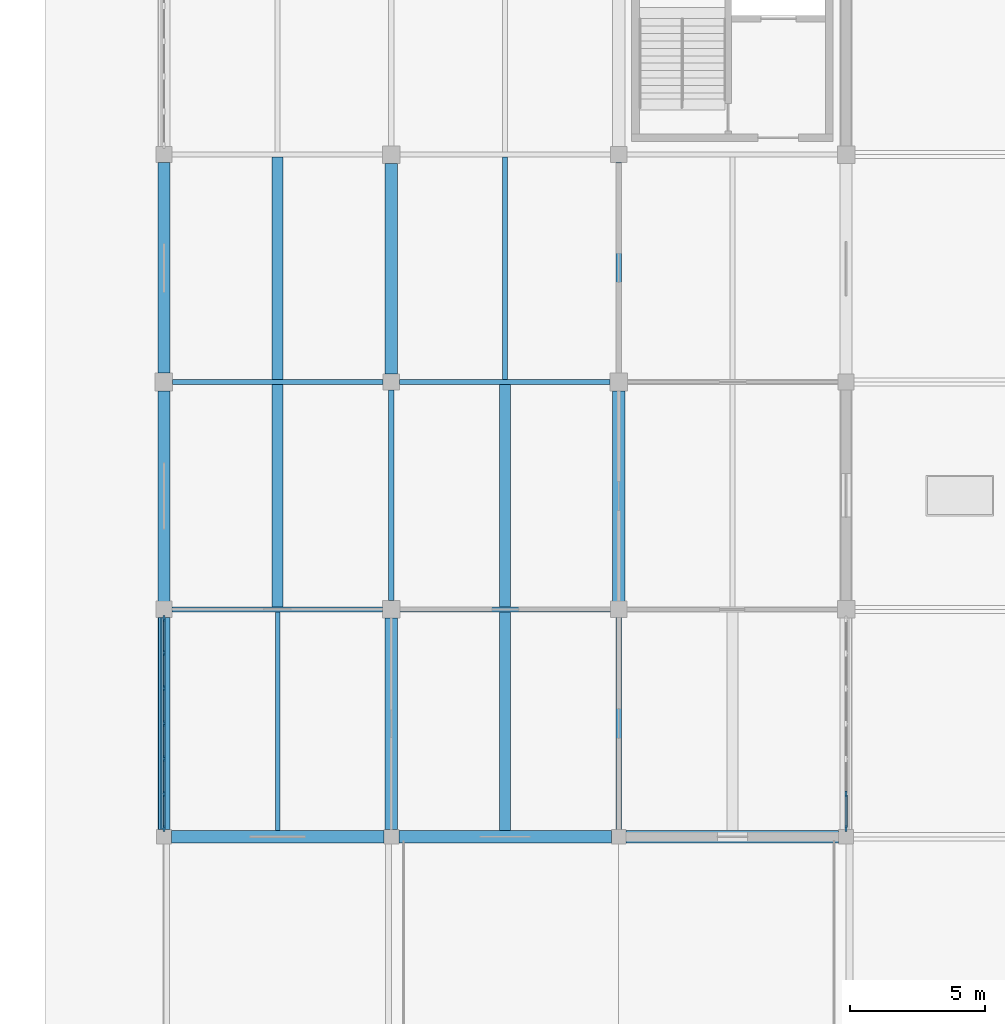
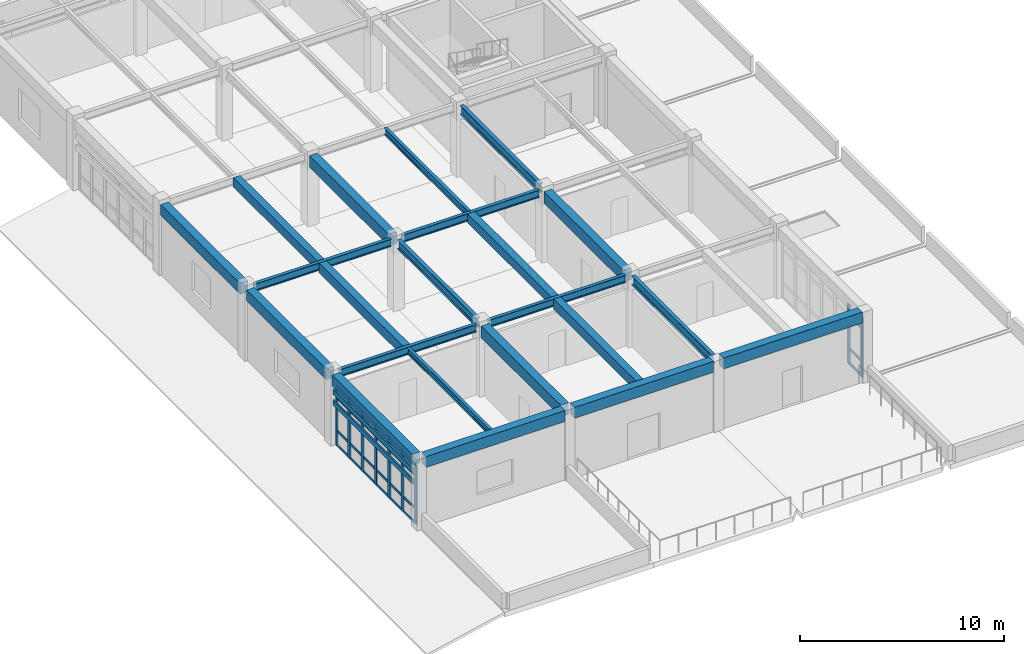
# One storey, part 31 of 78: 38 members, 22 beams, 2 elements without a shape of their own.
"""IFC4 building model written with IfcOpenShell, lengths in metres."""

from ifc_helpers import new_model, si_unit, direction, frame, origin, origin_2d, place, context, subcontext, project, spatial, rectangle, i_section, extrude, material, layer, layer_set, material_profile, profile_set, type_object, element, aggregate, save


model = new_model("IFC4")

# Units and contexts
model_context = context("Model", 3, precision=1e-05, world=origin(), true_north=direction((0.0, 1.0)))
body_context = subcontext(model_context, "Body", "Model", "MODEL_VIEW")
ifc_project = project(units=[si_unit("LENGTHUNIT", "METRE"), si_unit("AREAUNIT", "SQUARE_METRE"), si_unit("VOLUMEUNIT", "CUBIC_METRE"), si_unit("PLANEANGLEUNIT", "RADIAN"), si_unit("MASSUNIT", "GRAM", prefix="KILO")], contexts=[model_context])

# Site, building, storey
site_placement = place(None, origin())
site = spatial("IfcSite", under=ifc_project, at=site_placement, CompositionType="ELEMENT")
building_placement = place(site_placement, origin())
building = spatial("IfcBuilding", under=site, at=building_placement, Name="Porcellanite Civic Hall", CompositionType="ELEMENT")
storey_placement = place(building_placement, frame((0.0, 0.0, 10.260009765625)))
storey = spatial("IfcBuildingStorey", under=building, at=storey_placement, Name="L02", CompositionType="ELEMENT", Elevation=10.260009765625)

# Beams
ifc_material_1 = material(Name="Concrete N50 (50 MPa)", Category="concrete")
ifc_material_profile_1 = material_profile(ifc_material_1, rectangle(XDim=0.39990234375, YDim=0.550048828125, at=origin_2d()), Name="RC-400x550")
ifc_profile_set_1 = profile_set([ifc_material_profile_1], Name="Concrete N50 (50 MPa)")
beam_type_1 = type_object("IfcBeamType", Name="BM-RC550", PredefinedType="JOIST", material=ifc_profile_set_1)
beam_1_placement = place(storey_placement, frame((147.0, 25.29443359375, 3.965087890625), z_axis=(0.0, 1.0, 0.0), x_axis=(-1.0, 0.0, 0.0)))
element("IfcBeam", 1, at=beam_1_placement, inside=storey, type_object=beam_type_1, Name="Secondary joist L02 18-4", PredefinedType="JOIST", context=body_context, shape_type="SweptSolid", body=[
    extrude(rectangle(XDim=0.39990234375, YDim=0.550048828125, at=origin_2d()), origin(), (0.0, 0.0, 1.0), 8.211181640625),
])
beam_2_placement = place(storey_placement, frame((155.39990234375, 16.89453125, 3.965087890625), z_axis=(0.0, 1.0, 0.0), x_axis=(-1.0, 0.0, 0.0)))
element("IfcBeam", 2, at=beam_2_placement, inside=storey, type_object=beam_type_1, Name="Secondary joist L02 19-3", PredefinedType="JOIST", context=body_context, shape_type="SweptSolid", body=[
    extrude(rectangle(XDim=0.39990234375, YDim=0.550048828125, at=origin_2d()), origin(), (0.0, 0.0, 1.0), 8.2109375),
])
ifc_material_2 = material(Name="Concrete N50 (50 MPa)", Category="concrete")
ifc_material_profile_2 = material_profile(ifc_material_2, rectangle(XDim=0.39990234375, YDim=0.60009765625, at=origin_2d()), Name="RC-400x600")
ifc_profile_set_2 = profile_set([ifc_material_profile_2], Name="Concrete N50 (50 MPa)")
beam_type_2 = type_object("IfcBeamType", Name="BM-RC600", PredefinedType="JOIST", material=ifc_profile_set_2)
beam_3_placement = place(storey_placement, frame((147.0, 16.89453125, 3.93994140625), z_axis=(0.0, 1.0, 0.0), x_axis=(-1.0, 0.0, 0.0)))
element("IfcBeam", 3, at=beam_3_placement, inside=storey, type_object=beam_type_2, Name="Secondary joist L02 18-3", PredefinedType="JOIST", context=body_context, shape_type="SweptSolid", body=[
    extrude(rectangle(XDim=0.39990234375, YDim=0.60009765625, at=origin_2d()), origin(), (0.0, 0.0, 1.0), 8.2109375),
])
beam_4_placement = place(storey_placement, frame((155.39990234375, 8.62451171875, 3.93994140625), z_axis=(0.0, 1.0, 0.0), x_axis=(-1.0, 0.0, 0.0)))
element("IfcBeam", 4, at=beam_4_placement, inside=storey, type_object=beam_type_2, Name="Secondary joist L02 19-2", PredefinedType="JOIST", context=body_context, shape_type="SweptSolid", body=[
    extrude(rectangle(XDim=0.39990234375, YDim=0.60009765625, at=origin_2d()), origin(), (0.0, 0.0, 1.0), 8.0810546875),
])
ifc_material_3 = material(Name="Concrete N50 (50 MPa)", Category="concrete")
ifc_material_profile_3 = material_profile(ifc_material_3, rectangle(XDim=0.449951171875, YDim=0.64990234375, at=origin_2d()), Name="RC-450x650")
ifc_profile_set_3 = profile_set([ifc_material_profile_3], Name="Concrete N50 (50 MPa)")
beam_type_3 = type_object("IfcBeamType", Name="BM-RC650", PredefinedType="SPANDREL", material=ifc_profile_set_3)
beam_5_placement = place(storey_placement, frame((143.074462890625, 8.39990234375, 3.9150390625), z_axis=(1.0, 0.0, 0.0), x_axis=(0.0, 1.0, 0.0)))
element("IfcBeam", 5, at=beam_5_placement, inside=storey, type_object=beam_type_3, Name="Beam X L02 18-2", PredefinedType="SPANDREL", context=body_context, shape_type="SweptSolid", body=[
    extrude(rectangle(XDim=0.449951171875, YDim=0.64990234375, at=origin_2d()), origin(), (0.0, 0.0, 1.0), 7.85107421875),
])
beam_6_placement = place(storey_placement, frame((151.474609375, 8.39990234375, 3.9150390625), z_axis=(1.0, 0.0, 0.0), x_axis=(0.0, 1.0, 0.0)))
element("IfcBeam", 6, at=beam_6_placement, inside=storey, type_object=beam_type_3, Name="Beam X L02 19-2", PredefinedType="SPANDREL", context=body_context, shape_type="SweptSolid", body=[
    extrude(rectangle(XDim=0.449951171875, YDim=0.64990234375, at=origin_2d()), origin(), (0.0, 0.0, 1.0), 7.850830078125),
])
beam_7_placement = place(storey_placement, frame((159.87451171875, 8.39990234375, 3.9150390625), z_axis=(1.0, 0.0, 0.0), x_axis=(0.0, 1.0, 0.0)))
element("IfcBeam", 7, at=beam_7_placement, inside=storey, type_object=beam_type_3, Name="Beam X L02 20-2", PredefinedType="SPANDREL", context=body_context, shape_type="SweptSolid", body=[
    extrude(rectangle(XDim=0.449951171875, YDim=0.64990234375, at=origin_2d()), origin(), (0.0, 0.0, 1.0), 7.85107421875),
])
beam_8_placement = place(storey_placement, frame((142.800048828125, 8.674560546875, 3.9150390625), z_axis=(0.0, 1.0, 0.0), x_axis=(-1.0, 0.0, 0.0)))
element("IfcBeam", 8, at=beam_8_placement, inside=storey, type_object=beam_type_3, Name="Beam Y L02 18-2", PredefinedType="SPANDREL", context=body_context, shape_type="SweptSolid", body=[
    extrude(rectangle(XDim=0.449951171875, YDim=0.64990234375, at=origin_2d()), origin(), (0.0, 0.0, 1.0), 7.825927734375),
])
beam_9_placement = place(storey_placement, frame((142.800048828125, 17.099609375, 3.9150390625), z_axis=(0.0, 1.0, 0.0), x_axis=(-1.0, 0.0, 0.0)))
element("IfcBeam", 9, at=beam_9_placement, inside=storey, type_object=beam_type_3, Name="Beam Y L02 18-3", PredefinedType="SPANDREL", context=body_context, shape_type="SweptSolid", body=[
    extrude(rectangle(XDim=0.449951171875, YDim=0.64990234375, at=origin_2d()), origin(), (0.0, 0.0, 1.0), 7.77587890625),
])
beam_10_placement = place(storey_placement, frame((142.800048828125, 25.5244140625, 3.9150390625), z_axis=(0.0, 1.0, 0.0), x_axis=(-1.0, 0.0, 0.0)))
element("IfcBeam", 10, at=beam_10_placement, inside=storey, type_object=beam_type_3, Name="Beam Y L02 18-4", PredefinedType="SPANDREL", context=body_context, shape_type="SweptSolid", body=[
    extrude(rectangle(XDim=0.449951171875, YDim=0.64990234375, at=origin_2d()), origin(), (0.0, 0.0, 1.0), 7.776123046875),
])
ifc_material_4 = material(Name="Concrete N50 (50 MPa)", Category="concrete")
ifc_material_profile_4 = material_profile(ifc_material_4, rectangle(XDim=0.449951171875, YDim=0.699951171875, at=origin_2d()), Name="RC-450x700")
ifc_profile_set_4 = profile_set([ifc_material_profile_4], Name="Concrete N50 (50 MPa)")
beam_type_4 = type_object("IfcBeamType", Name="BM-RC700", PredefinedType="BEAM", material=ifc_profile_set_4)
beam_11_placement = place(storey_placement, frame((151.199951171875, 8.674560546875, 3.889892578125), z_axis=(0.0, 1.0, 0.0), x_axis=(-1.0, 0.0, 0.0)))
element("IfcBeam", 11, at=beam_11_placement, inside=storey, type_object=beam_type_4, Name="Beam Y L02 19-2", PredefinedType="BEAM", context=body_context, shape_type="SweptSolid", body=[
    extrude(rectangle(XDim=0.449951171875, YDim=0.699951171875, at=origin_2d()), origin(), (0.0, 0.0, 1.0), 7.801025390625),
])
for number, where, z_axis, x_axis, name in (
    (12, (151.199951171875, 25.49951171875, 3.889892578125), (0.0, 1.0, 0.0), (-1.0, 0.0, 0.0), "Beam Y L02 19-4"),
    (13, (159.60009765625, 17.099609375, 3.889892578125), (0.0, 1.0, 0.0), (-1.0, 0.0, 0.0), "Beam Y L02 20-3"),
):
    element("IfcBeam", number, at=place(storey_placement, frame(where, z_axis=z_axis, x_axis=x_axis)), inside=storey, type_object=beam_type_4, Name=name, PredefinedType="BEAM", context=body_context, shape_type="SweptSolid", body=[
        extrude(rectangle(XDim=0.449951171875, YDim=0.699951171875, at=origin_2d()), origin(), (0.0, 0.0, 1.0), 7.77587890625),
    ])

# Curtain wall, members
ifc_material_5 = material(Name="Anodised aluminium and solar laminated glass", Category="aluminium")
ifc_layer = layer(ifc_material_5, 0.179931640625)
ifc_layer_set = layer_set([ifc_layer], Name="Anodised aluminium and solar laminated glass")
curtain_wall_type = type_object("IfcCurtainWallType", Name="CW-SYS02", PredefinedType="NOTDEFINED", material=ifc_layer_set)
curtain_wall_1_placement = place(storey_placement, origin())
curtain_wall_1 = element("IfcCurtainWall", 14, at=curtain_wall_1_placement, inside=storey, type_object=curtain_wall_type, Name="Curtain wall CW-174", PredefinedType="NOTDEFINED")
ifc_material_6 = material(Name="Anodised aluminium 6063-T6", Category="aluminium")
ifc_material_profile_5 = material_profile(ifc_material_6, rectangle(XDim=0.074951171875, YDim=0.219970703125, at=origin_2d()), Name="AL-75x220")
ifc_profile_set_5 = profile_set([ifc_material_profile_5], Name="Anodised aluminium 6063-T6")
member_type_1 = type_object("IfcMemberType", Name="CWM-03", PredefinedType="MULLION", material=ifc_profile_set_5)
member_1_placement = place(storey_placement, frame((142.800048828125, 8.71337890625, 0.0), z_axis=(0.0, 0.0, 1.0), x_axis=(-1.0, 0.0, 0.0)))
member_1 = element("IfcMember", 15, at=member_1_placement, type_object=member_type_1, Name="CW-174 mullion 1", PredefinedType="MULLION", context=body_context, shape_type="SweptSolid", body=[
    extrude(rectangle(XDim=0.074951171875, YDim=0.219970703125, at=origin_2d()), origin(), (0.0, 0.0, 1.0), 3.5400390625),
])
member_2_placement = place(storey_placement, frame((142.800048828125, 9.979736328125, 0.0), z_axis=(0.0, 0.0, 1.0), x_axis=(-1.0, 0.0, 0.0)))
member_2 = element("IfcMember", 16, at=member_2_placement, type_object=member_type_1, Name="CW-174 mullion 2", PredefinedType="MULLION", context=body_context, shape_type="SweptSolid", body=[
    extrude(rectangle(XDim=0.074951171875, YDim=0.219970703125, at=origin_2d()), origin(), (0.0, 0.0, 1.0), 3.5400390625),
])
member_3_placement = place(storey_placement, frame((142.800048828125, 11.28369140625, 0.0), z_axis=(0.0, 0.0, 1.0), x_axis=(-1.0, 0.0, 0.0)))
member_3 = element("IfcMember", 17, at=member_3_placement, type_object=member_type_1, Name="CW-174 mullion 3", PredefinedType="MULLION", context=body_context, shape_type="SweptSolid", body=[
    extrude(rectangle(XDim=0.074951171875, YDim=0.219970703125, at=origin_2d()), origin(), (0.0, 0.0, 1.0), 3.5400390625),
])
member_4_placement = place(storey_placement, frame((142.800048828125, 12.58740234375, 0.0), z_axis=(0.0, 0.0, 1.0), x_axis=(-1.0, 0.0, 0.0)))
member_4 = element("IfcMember", 18, at=member_4_placement, type_object=member_type_1, Name="CW-174 mullion 4", PredefinedType="MULLION", context=body_context, shape_type="SweptSolid", body=[
    extrude(rectangle(XDim=0.074951171875, YDim=0.219970703125, at=origin_2d()), origin(), (0.0, 0.0, 1.0), 3.5400390625),
])
member_5_placement = place(storey_placement, frame((142.800048828125, 13.891357421875, 0.0), z_axis=(0.0, 0.0, 1.0), x_axis=(-1.0, 0.0, 0.0)))
member_5 = element("IfcMember", 19, at=member_5_placement, type_object=member_type_1, Name="CW-174 mullion 5", PredefinedType="MULLION", context=body_context, shape_type="SweptSolid", body=[
    extrude(rectangle(XDim=0.074951171875, YDim=0.219970703125, at=origin_2d()), origin(), (0.0, 0.0, 1.0), 3.5400390625),
])
member_6_placement = place(storey_placement, frame((142.800048828125, 15.195068359375, 0.0), z_axis=(0.0, 0.0, 1.0), x_axis=(-1.0, 0.0, 0.0)))
member_6 = element("IfcMember", 20, at=member_6_placement, type_object=member_type_1, Name="CW-174 mullion 6", PredefinedType="MULLION", context=body_context, shape_type="SweptSolid", body=[
    extrude(rectangle(XDim=0.074951171875, YDim=0.219970703125, at=origin_2d()), origin(), (0.0, 0.0, 1.0), 3.5400390625),
])
member_7_placement = place(storey_placement, frame((142.800048828125, 16.46142578125, 0.0), z_axis=(0.0, 0.0, 1.0), x_axis=(-1.0, 0.0, 0.0)))
member_7 = element("IfcMember", 21, at=member_7_placement, type_object=member_type_1, Name="CW-174 mullion 7", PredefinedType="MULLION", context=body_context, shape_type="SweptSolid", body=[
    extrude(rectangle(XDim=0.074951171875, YDim=0.219970703125, at=origin_2d()), origin(), (0.0, 0.0, 1.0), 3.5400390625),
])

curtain_wall_2_placement = place(storey_placement, origin())
curtain_wall_2 = element("IfcCurtainWall", 22, at=curtain_wall_2_placement, inside=storey, type_object=curtain_wall_type, Name="Curtain wall CW-181", PredefinedType="NOTDEFINED")
member_8_placement = place(storey_placement, frame((168.0, 9.9755859375, 0.0), z_axis=(0.0, 0.0, 1.0), x_axis=(1.0, 0.0, 0.0)))
member_8 = element("IfcMember", 23, at=member_8_placement, type_object=member_type_1, Name="CW-181 mullion 6", PredefinedType="MULLION", context=body_context, shape_type="SweptSolid", body=[
    extrude(rectangle(XDim=0.074951171875, YDim=0.219970703125, at=origin_2d()), origin(), (0.0, 0.0, 1.0), 3.5400390625),
])
member_9_placement = place(storey_placement, frame((168.0, 8.71337890625, 0.0), z_axis=(0.0, 0.0, 1.0), x_axis=(1.0, 0.0, 0.0)))
member_9 = element("IfcMember", 24, at=member_9_placement, type_object=member_type_1, Name="CW-181 mullion 7", PredefinedType="MULLION", context=body_context, shape_type="SweptSolid", body=[
    extrude(rectangle(XDim=0.074951171875, YDim=0.219970703125, at=origin_2d()), origin(), (0.0, 0.0, 1.0), 3.5400390625),
])

# Member
ifc_material_7 = material(Name="Anodised aluminium 6063-T6", Category="aluminium")
ifc_material_profile_6 = material_profile(ifc_material_7, rectangle(XDim=0.06494140625, YDim=0.14990234375, at=origin_2d()), Name="AL-65x150")
ifc_profile_set_6 = profile_set([ifc_material_profile_6], Name="Anodised aluminium 6063-T6")
member_type_2 = type_object("IfcMemberType", Name="CWT-02", PredefinedType="USERDEFINED", material=ifc_profile_set_6)
member_10_placement = place(storey_placement, frame((142.800048828125, 8.7509765625, 0.032470703125), z_axis=(0.0, 1.0, 0.0), x_axis=(-1.0, 0.0, 0.0)))
member_10 = element("IfcMember", 25, at=member_10_placement, type_object=member_type_2, Name="CW-174 transom 1.1", ObjectType="TRANSOM", PredefinedType="USERDEFINED", context=body_context, shape_type="SweptSolid", body=[
    extrude(rectangle(XDim=0.06494140625, YDim=0.14990234375, at=origin_2d()), origin(), (0.0, 0.0, 1.0), 1.19140625),
])

member_11_placement = place(storey_placement, frame((142.800048828125, 8.7509765625, 0.89990234375), z_axis=(0.0, 1.0, 0.0), x_axis=(-1.0, 0.0, 0.0)))
member_11 = element("IfcMember", 26, at=member_11_placement, type_object=member_type_2, Name="CW-174 transom 1.2", ObjectType="TRANSOM", PredefinedType="USERDEFINED", context=body_context, shape_type="SweptSolid", body=[
    extrude(rectangle(XDim=0.06494140625, YDim=0.14990234375, at=origin_2d()), origin(), (0.0, 0.0, 1.0), 1.19140625),
])

member_12_placement = place(storey_placement, frame((142.800048828125, 8.7509765625, 2.889892578125), z_axis=(0.0, 1.0, 0.0), x_axis=(-1.0, 0.0, 0.0)))
member_12 = element("IfcMember", 27, at=member_12_placement, type_object=member_type_2, Name="CW-174 transom 1.3", ObjectType="TRANSOM", PredefinedType="USERDEFINED", context=body_context, shape_type="SweptSolid", body=[
    extrude(rectangle(XDim=0.06494140625, YDim=0.14990234375, at=origin_2d()), origin(), (0.0, 0.0, 1.0), 1.19140625),
])

member_13_placement = place(storey_placement, frame((142.800048828125, 8.7509765625, 3.507568359375), z_axis=(0.0, 1.0, 0.0), x_axis=(-1.0, 0.0, 0.0)))
member_13 = element("IfcMember", 28, at=member_13_placement, type_object=member_type_2, Name="CW-174 transom 1.4", ObjectType="TRANSOM", PredefinedType="USERDEFINED", context=body_context, shape_type="SweptSolid", body=[
    extrude(rectangle(XDim=0.06494140625, YDim=0.14990234375, at=origin_2d()), origin(), (0.0, 0.0, 1.0), 1.19140625),
])

member_14_placement = place(storey_placement, frame((142.800048828125, 10.017333984375, 0.032470703125), z_axis=(0.0, 1.0, 0.0), x_axis=(-1.0, 0.0, 0.0)))
member_14 = element("IfcMember", 29, at=member_14_placement, type_object=member_type_2, Name="CW-174 transom 2.1", ObjectType="TRANSOM", PredefinedType="USERDEFINED", context=body_context, shape_type="SweptSolid", body=[
    extrude(rectangle(XDim=0.06494140625, YDim=0.14990234375, at=origin_2d()), origin(), (0.0, 0.0, 1.0), 1.228759765625),
])

member_15_placement = place(storey_placement, frame((142.800048828125, 10.017333984375, 0.89990234375), z_axis=(0.0, 1.0, 0.0), x_axis=(-1.0, 0.0, 0.0)))
member_15 = element("IfcMember", 30, at=member_15_placement, type_object=member_type_2, Name="CW-174 transom 2.2", ObjectType="TRANSOM", PredefinedType="USERDEFINED", context=body_context, shape_type="SweptSolid", body=[
    extrude(rectangle(XDim=0.06494140625, YDim=0.14990234375, at=origin_2d()), origin(), (0.0, 0.0, 1.0), 1.228759765625),
])

member_16_placement = place(storey_placement, frame((142.800048828125, 10.017333984375, 2.889892578125), z_axis=(0.0, 1.0, 0.0), x_axis=(-1.0, 0.0, 0.0)))
member_16 = element("IfcMember", 31, at=member_16_placement, type_object=member_type_2, Name="CW-174 transom 2.3", ObjectType="TRANSOM", PredefinedType="USERDEFINED", context=body_context, shape_type="SweptSolid", body=[
    extrude(rectangle(XDim=0.06494140625, YDim=0.14990234375, at=origin_2d()), origin(), (0.0, 0.0, 1.0), 1.228759765625),
])

member_17_placement = place(storey_placement, frame((142.800048828125, 10.017333984375, 3.507568359375), z_axis=(0.0, 1.0, 0.0), x_axis=(-1.0, 0.0, 0.0)))
member_17 = element("IfcMember", 32, at=member_17_placement, type_object=member_type_2, Name="CW-174 transom 2.4", ObjectType="TRANSOM", PredefinedType="USERDEFINED", context=body_context, shape_type="SweptSolid", body=[
    extrude(rectangle(XDim=0.06494140625, YDim=0.14990234375, at=origin_2d()), origin(), (0.0, 0.0, 1.0), 1.228759765625),
])

member_18_placement = place(storey_placement, frame((142.800048828125, 11.321044921875, 0.032470703125), z_axis=(0.0, 1.0, 0.0), x_axis=(-1.0, 0.0, 0.0)))
member_18 = element("IfcMember", 33, at=member_18_placement, type_object=member_type_2, Name="CW-174 transom 3.1", ObjectType="TRANSOM", PredefinedType="USERDEFINED", context=body_context, shape_type="SweptSolid", body=[
    extrude(rectangle(XDim=0.06494140625, YDim=0.14990234375, at=origin_2d()), origin(), (0.0, 0.0, 1.0), 1.22900390625),
])

member_19_placement = place(storey_placement, frame((142.800048828125, 11.321044921875, 0.89990234375), z_axis=(0.0, 1.0, 0.0), x_axis=(-1.0, 0.0, 0.0)))
member_19 = element("IfcMember", 34, at=member_19_placement, type_object=member_type_2, Name="CW-174 transom 3.2", ObjectType="TRANSOM", PredefinedType="USERDEFINED", context=body_context, shape_type="SweptSolid", body=[
    extrude(rectangle(XDim=0.06494140625, YDim=0.14990234375, at=origin_2d()), origin(), (0.0, 0.0, 1.0), 1.22900390625),
])

member_20_placement = place(storey_placement, frame((142.800048828125, 11.321044921875, 2.889892578125), z_axis=(0.0, 1.0, 0.0), x_axis=(-1.0, 0.0, 0.0)))
member_20 = element("IfcMember", 35, at=member_20_placement, type_object=member_type_2, Name="CW-174 transom 3.3", ObjectType="TRANSOM", PredefinedType="USERDEFINED", context=body_context, shape_type="SweptSolid", body=[
    extrude(rectangle(XDim=0.06494140625, YDim=0.14990234375, at=origin_2d()), origin(), (0.0, 0.0, 1.0), 1.22900390625),
])

member_21_placement = place(storey_placement, frame((142.800048828125, 11.321044921875, 3.507568359375), z_axis=(0.0, 1.0, 0.0), x_axis=(-1.0, 0.0, 0.0)))
member_21 = element("IfcMember", 36, at=member_21_placement, type_object=member_type_2, Name="CW-174 transom 3.4", ObjectType="TRANSOM", PredefinedType="USERDEFINED", context=body_context, shape_type="SweptSolid", body=[
    extrude(rectangle(XDim=0.06494140625, YDim=0.14990234375, at=origin_2d()), origin(), (0.0, 0.0, 1.0), 1.22900390625),
])

member_22_placement = place(storey_placement, frame((142.800048828125, 12.625, 0.032470703125), z_axis=(0.0, 1.0, 0.0), x_axis=(-1.0, 0.0, 0.0)))
member_22 = element("IfcMember", 37, at=member_22_placement, type_object=member_type_2, Name="CW-174 transom 4.1", ObjectType="TRANSOM", PredefinedType="USERDEFINED", context=body_context, shape_type="SweptSolid", body=[
    extrude(rectangle(XDim=0.06494140625, YDim=0.14990234375, at=origin_2d()), origin(), (0.0, 0.0, 1.0), 1.228759765625),
])

member_23_placement = place(storey_placement, frame((142.800048828125, 12.625, 0.89990234375), z_axis=(0.0, 1.0, 0.0), x_axis=(-1.0, 0.0, 0.0)))
member_23 = element("IfcMember", 38, at=member_23_placement, type_object=member_type_2, Name="CW-174 transom 4.2", ObjectType="TRANSOM", PredefinedType="USERDEFINED", context=body_context, shape_type="SweptSolid", body=[
    extrude(rectangle(XDim=0.06494140625, YDim=0.14990234375, at=origin_2d()), origin(), (0.0, 0.0, 1.0), 1.228759765625),
])

member_24_placement = place(storey_placement, frame((142.800048828125, 12.625, 2.889892578125), z_axis=(0.0, 1.0, 0.0), x_axis=(-1.0, 0.0, 0.0)))
member_24 = element("IfcMember", 39, at=member_24_placement, type_object=member_type_2, Name="CW-174 transom 4.3", ObjectType="TRANSOM", PredefinedType="USERDEFINED", context=body_context, shape_type="SweptSolid", body=[
    extrude(rectangle(XDim=0.06494140625, YDim=0.14990234375, at=origin_2d()), origin(), (0.0, 0.0, 1.0), 1.228759765625),
])

member_25_placement = place(storey_placement, frame((142.800048828125, 12.625, 3.507568359375), z_axis=(0.0, 1.0, 0.0), x_axis=(-1.0, 0.0, 0.0)))
member_25 = element("IfcMember", 40, at=member_25_placement, type_object=member_type_2, Name="CW-174 transom 4.4", ObjectType="TRANSOM", PredefinedType="USERDEFINED", context=body_context, shape_type="SweptSolid", body=[
    extrude(rectangle(XDim=0.06494140625, YDim=0.14990234375, at=origin_2d()), origin(), (0.0, 0.0, 1.0), 1.228759765625),
])

member_26_placement = place(storey_placement, frame((142.800048828125, 13.928955078125, 0.032470703125), z_axis=(0.0, 1.0, 0.0), x_axis=(-1.0, 0.0, 0.0)))
member_26 = element("IfcMember", 41, at=member_26_placement, type_object=member_type_2, Name="CW-174 transom 5.1", ObjectType="TRANSOM", PredefinedType="USERDEFINED", context=body_context, shape_type="SweptSolid", body=[
    extrude(rectangle(XDim=0.06494140625, YDim=0.14990234375, at=origin_2d()), origin(), (0.0, 0.0, 1.0), 1.228759765625),
])

member_27_placement = place(storey_placement, frame((142.800048828125, 13.928955078125, 0.89990234375), z_axis=(0.0, 1.0, 0.0), x_axis=(-1.0, 0.0, 0.0)))
member_27 = element("IfcMember", 42, at=member_27_placement, type_object=member_type_2, Name="CW-174 transom 5.2", ObjectType="TRANSOM", PredefinedType="USERDEFINED", context=body_context, shape_type="SweptSolid", body=[
    extrude(rectangle(XDim=0.06494140625, YDim=0.14990234375, at=origin_2d()), origin(), (0.0, 0.0, 1.0), 1.228759765625),
])

member_28_placement = place(storey_placement, frame((142.800048828125, 13.928955078125, 2.889892578125), z_axis=(0.0, 1.0, 0.0), x_axis=(-1.0, 0.0, 0.0)))
member_28 = element("IfcMember", 43, at=member_28_placement, type_object=member_type_2, Name="CW-174 transom 5.3", ObjectType="TRANSOM", PredefinedType="USERDEFINED", context=body_context, shape_type="SweptSolid", body=[
    extrude(rectangle(XDim=0.06494140625, YDim=0.14990234375, at=origin_2d()), origin(), (0.0, 0.0, 1.0), 1.228759765625),
])

member_29_placement = place(storey_placement, frame((142.800048828125, 13.928955078125, 3.507568359375), z_axis=(0.0, 1.0, 0.0), x_axis=(-1.0, 0.0, 0.0)))
member_29 = element("IfcMember", 44, at=member_29_placement, type_object=member_type_2, Name="CW-174 transom 5.4", ObjectType="TRANSOM", PredefinedType="USERDEFINED", context=body_context, shape_type="SweptSolid", body=[
    extrude(rectangle(XDim=0.06494140625, YDim=0.14990234375, at=origin_2d()), origin(), (0.0, 0.0, 1.0), 1.228759765625),
])

member_30_placement = place(storey_placement, frame((142.800048828125, 15.232666015625, 0.032470703125), z_axis=(0.0, 1.0, 0.0), x_axis=(-1.0, 0.0, 0.0)))
member_30 = element("IfcMember", 45, at=member_30_placement, type_object=member_type_2, Name="CW-174 transom 6.1", ObjectType="TRANSOM", PredefinedType="USERDEFINED", context=body_context, shape_type="SweptSolid", body=[
    extrude(rectangle(XDim=0.06494140625, YDim=0.14990234375, at=origin_2d()), origin(), (0.0, 0.0, 1.0), 1.19140625),
])

member_31_placement = place(storey_placement, frame((142.800048828125, 15.232666015625, 0.89990234375), z_axis=(0.0, 1.0, 0.0), x_axis=(-1.0, 0.0, 0.0)))
member_31 = element("IfcMember", 46, at=member_31_placement, type_object=member_type_2, Name="CW-174 transom 6.2", ObjectType="TRANSOM", PredefinedType="USERDEFINED", context=body_context, shape_type="SweptSolid", body=[
    extrude(rectangle(XDim=0.06494140625, YDim=0.14990234375, at=origin_2d()), origin(), (0.0, 0.0, 1.0), 1.19140625),
])

member_32_placement = place(storey_placement, frame((142.800048828125, 15.232666015625, 2.889892578125), z_axis=(0.0, 1.0, 0.0), x_axis=(-1.0, 0.0, 0.0)))
member_32 = element("IfcMember", 47, at=member_32_placement, type_object=member_type_2, Name="CW-174 transom 6.3", ObjectType="TRANSOM", PredefinedType="USERDEFINED", context=body_context, shape_type="SweptSolid", body=[
    extrude(rectangle(XDim=0.06494140625, YDim=0.14990234375, at=origin_2d()), origin(), (0.0, 0.0, 1.0), 1.19140625),
])

member_33_placement = place(storey_placement, frame((142.800048828125, 15.232666015625, 3.507568359375), z_axis=(0.0, 1.0, 0.0), x_axis=(-1.0, 0.0, 0.0)))
member_33 = element("IfcMember", 48, at=member_33_placement, type_object=member_type_2, Name="CW-174 transom 6.4", ObjectType="TRANSOM", PredefinedType="USERDEFINED", context=body_context, shape_type="SweptSolid", body=[
    extrude(rectangle(XDim=0.06494140625, YDim=0.14990234375, at=origin_2d()), origin(), (0.0, 0.0, 1.0), 1.19140625),
])

aggregate(curtain_wall_1, [member_1, member_2, member_3, member_4, member_5, member_6, member_7, member_10, member_11, member_12, member_13, member_14, member_15, member_16, member_17, member_18, member_19, member_20, member_21, member_22, member_23, member_24, member_25, member_26, member_27, member_28, member_29, member_30, member_31, member_32, member_33])

member_34_placement = place(storey_placement, frame((168.0, 9.938232421875, 0.032470703125), z_axis=(0.0, -1.0, 0.0), x_axis=(1.0, 0.0, 0.0)))
member_34 = element("IfcMember", 49, at=member_34_placement, type_object=member_type_2, Name="CW-181 transom 6.1", ObjectType="TRANSOM", PredefinedType="USERDEFINED", context=body_context, shape_type="SweptSolid", body=[
    extrude(rectangle(XDim=0.06494140625, YDim=0.14990234375, at=origin_2d()), origin(), (0.0, 0.0, 1.0), 1.187255859375),
])

member_35_placement = place(storey_placement, frame((168.0, 9.938232421875, 0.89990234375), z_axis=(0.0, -1.0, 0.0), x_axis=(1.0, 0.0, 0.0)))
member_35 = element("IfcMember", 50, at=member_35_placement, type_object=member_type_2, Name="CW-181 transom 6.2", ObjectType="TRANSOM", PredefinedType="USERDEFINED", context=body_context, shape_type="SweptSolid", body=[
    extrude(rectangle(XDim=0.06494140625, YDim=0.14990234375, at=origin_2d()), origin(), (0.0, 0.0, 1.0), 1.187255859375),
])

member_36_placement = place(storey_placement, frame((168.0, 9.938232421875, 2.889892578125), z_axis=(0.0, -1.0, 0.0), x_axis=(1.0, 0.0, 0.0)))
member_36 = element("IfcMember", 51, at=member_36_placement, type_object=member_type_2, Name="CW-181 transom 6.3", ObjectType="TRANSOM", PredefinedType="USERDEFINED", context=body_context, shape_type="SweptSolid", body=[
    extrude(rectangle(XDim=0.06494140625, YDim=0.14990234375, at=origin_2d()), origin(), (0.0, 0.0, 1.0), 1.187255859375),
])

aggregate(curtain_wall_2, [member_8, member_9, member_34, member_35, member_36])

# Beams
ifc_material_8 = material(Name="Steel Grade 350", Category="steel")
ifc_material_profile_7 = material_profile(ifc_material_8, i_section(OverallWidth=0.1708984375, OverallDepth=0.35595703125, WebThickness=0.00732421875, FlangeThickness=0.011474609375, FilletRadius=0.011474609375, at=origin_2d()), Name="360UB50.7")
ifc_profile_set_7 = profile_set([ifc_material_profile_7], Name="Steel Grade 350")
beam_type_5 = type_object("IfcBeamType", Name="JST-360UB51", PredefinedType="JOIST", material=ifc_profile_set_7)
beam_12_placement = place(storey_placement, frame((147.0, 8.62451171875, 4.06201171875), z_axis=(0.0, 1.0, 0.0), x_axis=(-1.0, 0.0, 0.0)))
element("IfcBeam", 52, at=beam_12_placement, inside=storey, type_object=beam_type_5, Name="Secondary joist L02 18-2", PredefinedType="JOIST", context=body_context, shape_type="SweptSolid", body=[
    extrude(i_section(OverallWidth=0.1708984375, OverallDepth=0.35595703125, WebThickness=0.00732421875, FlangeThickness=0.011474609375, FilletRadius=0.011474609375, at=origin_2d()), origin(), (0.0, 0.0, 1.0), 8.0810546875),
])
ifc_material_9 = material(Name="Steel Grade 350", Category="steel")
ifc_material_profile_8 = material_profile(ifc_material_9, i_section(OverallWidth=0.177978515625, OverallDepth=0.406005859375, WebThickness=0.0078125, FlangeThickness=0.0126953125, FilletRadius=0.011474609375, at=origin_2d()), Name="410UB59.7")
ifc_profile_set_8 = profile_set([ifc_material_profile_8], Name="Steel Grade 350")
beam_type_6 = type_object("IfcBeamType", Name="JST-410UB60", PredefinedType="JOIST", material=ifc_profile_set_8)
beam_13_placement = place(storey_placement, frame((155.39990234375, 25.29443359375, 4.037109375), z_axis=(0.0, 1.0, 0.0), x_axis=(-1.0, 0.0, 0.0)))
element("IfcBeam", 53, at=beam_13_placement, inside=storey, type_object=beam_type_6, Name="Secondary joist L02 19-4", PredefinedType="JOIST", context=body_context, shape_type="SweptSolid", body=[
    extrude(i_section(OverallWidth=0.177978515625, OverallDepth=0.406005859375, WebThickness=0.0078125, FlangeThickness=0.0126953125, FilletRadius=0.011474609375, at=origin_2d()), origin(), (0.0, 0.0, 1.0), 8.211181640625),
])

# Members
ifc_material_10 = material(Name="Fluoropolymer bauxite-red aluminium 6063-T6", Category="aluminium")
ifc_material_profile_9 = material_profile(ifc_material_10, rectangle(XDim=0.080078125, YDim=0.320068359375, at=origin_2d()), Name="AL-80x320")
ifc_profile_set_9 = profile_set([ifc_material_profile_9], Name="Fluoropolymer bauxite-red aluminium 6063-T6")
member_type_3 = type_object("IfcMemberType", Name="LV-BLD03", PredefinedType="USERDEFINED", material=ifc_profile_set_9)
for number, where, z_axis, x_axis, name in (
    (54, (142.64794921875, 8.674560546875, 3.239990234375), (0.0, 1.0, 0.0), (-1.0, 0.0, 0.0), "Cyclone sunshade louvre L02 W 17-1 1"),
    (55, (142.64794921875, 8.674560546875, 2.590087890625), (0.0, 1.0, 0.0), (-1.0, 0.0, 0.0), "Cyclone sunshade louvre L02 W 17-1 2"),
):
    element("IfcMember", number, at=place(storey_placement, frame(where, z_axis=z_axis, x_axis=x_axis)), inside=storey, type_object=member_type_3, Name=name, ObjectType="LOUVRE BLADE", PredefinedType="USERDEFINED", context=body_context, shape_type="SweptSolid", body=[
        extrude(rectangle(XDim=0.080078125, YDim=0.320068359375, at=origin_2d()), origin(), (0.0, 0.0, 1.0), 7.825927734375),
    ])

# Beams
ifc_material_11 = material(Name="Steel Grade 350", Category="steel")
ifc_material_profile_10 = material_profile(ifc_material_11, i_section(OverallWidth=0.18994140625, OverallDepth=0.4541015625, WebThickness=0.008544921875, FlangeThickness=0.0126953125, FilletRadius=0.011474609375, at=origin_2d()), Name="460UB67.1")
ifc_profile_set_10 = profile_set([ifc_material_profile_10], Name="Steel Grade 350")
beam_type_7 = type_object("IfcBeamType", Name="RAF-460UB67", PredefinedType="BEAM", material=ifc_profile_set_10)
for number, where, z_axis, x_axis, name in (
    (56, (143.099609375, 16.800048828125, 4.012939453125), (1.0, 0.0, 0.0), (0.0, 1.0, 0.0), "Beam X L02 18-3"),
    (57, (143.12451171875, 25.199951171875, 4.012939453125), (1.0, 0.0, 0.0), (0.0, 1.0, 0.0), "Beam X L02 18-4"),
):
    element("IfcBeam", number, at=place(storey_placement, frame(where, z_axis=z_axis, x_axis=x_axis)), inside=storey, type_object=beam_type_7, Name=name, PredefinedType="BEAM", context=body_context, shape_type="SweptSolid", body=[
        extrude(i_section(OverallWidth=0.18994140625, OverallDepth=0.4541015625, WebThickness=0.008544921875, FlangeThickness=0.0126953125, FilletRadius=0.011474609375, at=origin_2d()), origin(), (0.0, 0.0, 1.0), 7.77587890625),
    ])
beam_14_placement = place(storey_placement, frame((151.5244140625, 16.800048828125, 4.012939453125), z_axis=(1.0, 0.0, 0.0), x_axis=(0.0, 1.0, 0.0)))
element("IfcBeam", 58, at=beam_14_placement, inside=storey, type_object=beam_type_7, Name="Beam X L02 19-3", PredefinedType="BEAM", context=body_context, shape_type="SweptSolid", body=[
    extrude(i_section(OverallWidth=0.18994140625, OverallDepth=0.4541015625, WebThickness=0.008544921875, FlangeThickness=0.0126953125, FilletRadius=0.011474609375, at=origin_2d()), origin(), (0.0, 0.0, 1.0), 7.776123046875),
])
beam_15_placement = place(storey_placement, frame((151.49951171875, 25.199951171875, 4.012939453125), z_axis=(1.0, 0.0, 0.0), x_axis=(0.0, 1.0, 0.0)))
element("IfcBeam", 59, at=beam_15_placement, inside=storey, type_object=beam_type_7, Name="Beam X L02 19-4", PredefinedType="BEAM", context=body_context, shape_type="SweptSolid", body=[
    extrude(i_section(OverallWidth=0.18994140625, OverallDepth=0.4541015625, WebThickness=0.008544921875, FlangeThickness=0.0126953125, FilletRadius=0.011474609375, at=origin_2d()), origin(), (0.0, 0.0, 1.0), 7.77587890625),
])
ifc_material_12 = material(Name="Steel Grade 350", Category="steel")
ifc_material_profile_11 = material_profile(ifc_material_12, i_section(OverallWidth=0.208984375, OverallDepth=0.528076171875, WebThickness=0.009521484375, FlangeThickness=0.01318359375, FilletRadius=0.013916015625, at=origin_2d()), Name="530UB82.0")
ifc_profile_set_11 = profile_set([ifc_material_profile_11], Name="Steel Grade 350")
beam_type_8 = type_object("IfcBeamType", Name="RAF-530UB82", PredefinedType="BEAM", material=ifc_profile_set_11)
beam_16_placement = place(storey_placement, frame((151.199951171875, 17.12451171875, 3.97607421875), z_axis=(0.0, 1.0, 0.0), x_axis=(-1.0, 0.0, 0.0)))
element("IfcBeam", 60, at=beam_16_placement, inside=storey, type_object=beam_type_8, Name="Beam Y L02 19-3", PredefinedType="BEAM", context=body_context, shape_type="SweptSolid", body=[
    extrude(i_section(OverallWidth=0.208984375, OverallDepth=0.528076171875, WebThickness=0.009521484375, FlangeThickness=0.01318359375, FilletRadius=0.013916015625, at=origin_2d()), origin(), (0.0, 0.0, 1.0), 7.77587890625),
])
beam_17_placement = place(storey_placement, frame((159.60009765625, 8.674560546875, 3.97607421875), z_axis=(0.0, 1.0, 0.0), x_axis=(-1.0, 0.0, 0.0)))
element("IfcBeam", 61, at=beam_17_placement, inside=storey, type_object=beam_type_8, Name="Beam Y L02 20-2", PredefinedType="BEAM", context=body_context, shape_type="SweptSolid", body=[
    extrude(i_section(OverallWidth=0.208984375, OverallDepth=0.528076171875, WebThickness=0.009521484375, FlangeThickness=0.01318359375, FilletRadius=0.013916015625, at=origin_2d()), origin(), (0.0, 0.0, 1.0), 7.825927734375),
])
beam_18_placement = place(storey_placement, frame((159.60009765625, 25.5244140625, 3.97607421875), z_axis=(0.0, 1.0, 0.0), x_axis=(-1.0, 0.0, 0.0)))
element("IfcBeam", 62, at=beam_18_placement, inside=storey, type_object=beam_type_8, Name="Beam Y L02 20-4", PredefinedType="BEAM", context=body_context, shape_type="SweptSolid", body=[
    extrude(i_section(OverallWidth=0.208984375, OverallDepth=0.528076171875, WebThickness=0.009521484375, FlangeThickness=0.01318359375, FilletRadius=0.013916015625, at=origin_2d()), origin(), (0.0, 0.0, 1.0), 7.776123046875),
])

save(model, "model.ifc")
